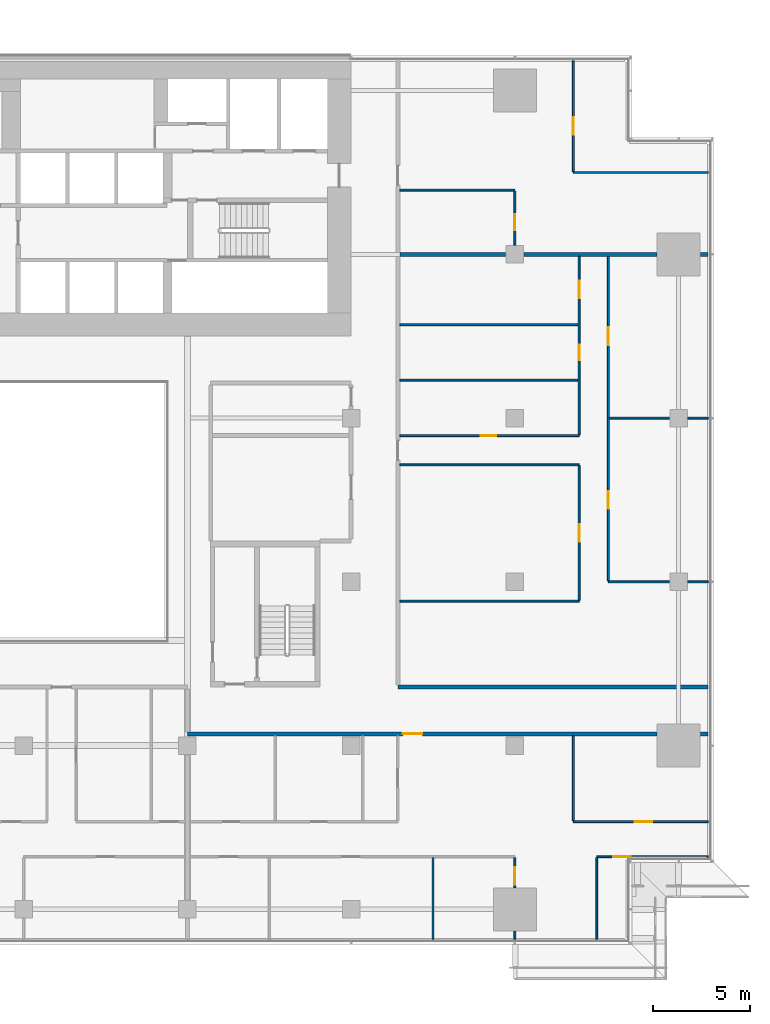
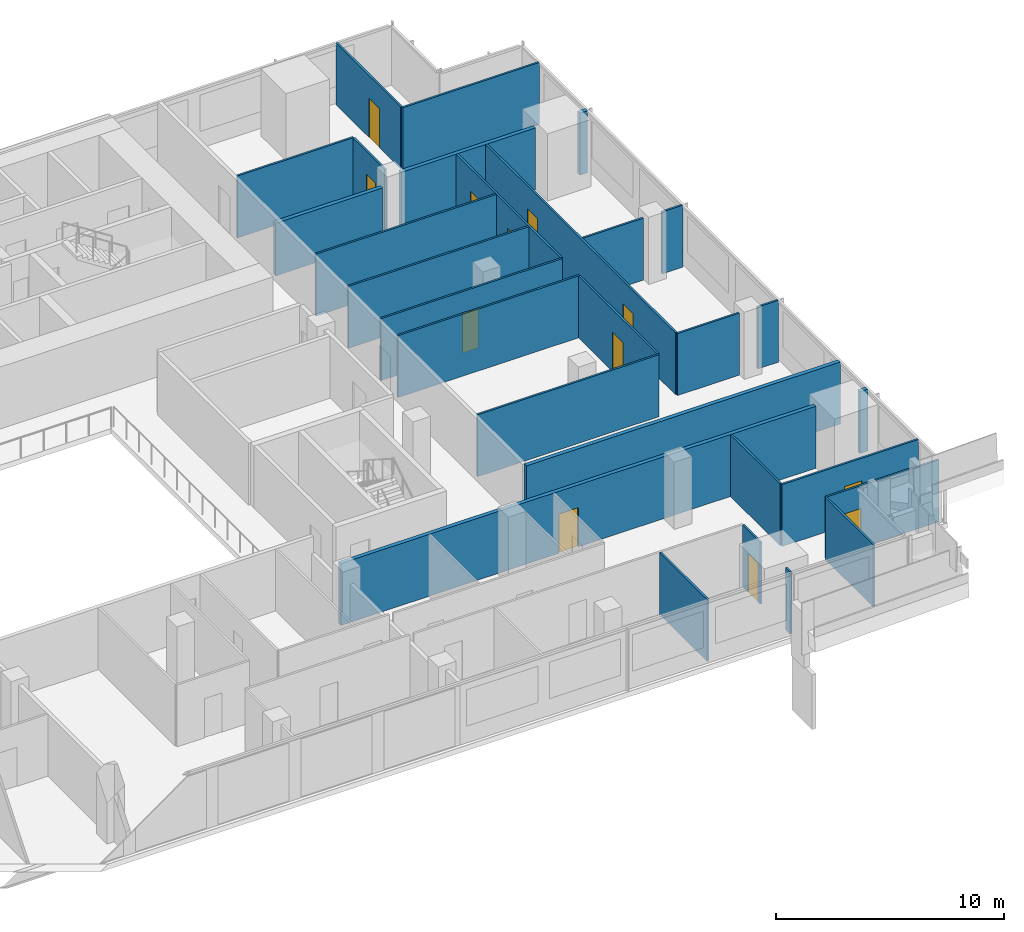
# One storey, part 24 of 30: 29 walls, 12 doors, 12 openings.
"""IFC4 building model written with IfcOpenShell, lengths in metres."""

from ifc_helpers import new_model, si_unit, direction, frame, frame_2d, origin, place, context, subcontext, project, spatial, rectangle, extrude, material, layer, layer_set, type_object, element, fill, save


model = new_model("IFC4")

# Units and contexts
model_context = context("Model", 3, precision=1e-05, world=origin(), true_north=direction((0.0, 1.0)))
body_context = subcontext(model_context, "Body", "Model", "MODEL_VIEW")
ifc_project = project(units=[si_unit("LENGTHUNIT", "METRE"), si_unit("AREAUNIT", "SQUARE_METRE"), si_unit("VOLUMEUNIT", "CUBIC_METRE"), si_unit("PLANEANGLEUNIT", "RADIAN"), si_unit("MASSUNIT", "GRAM", prefix="KILO")], contexts=[model_context])

# Site, building, storey
site_placement = place(None, origin())
site = spatial("IfcSite", under=ifc_project, at=site_placement, CompositionType="ELEMENT")
building_placement = place(site_placement, origin())
building = spatial("IfcBuilding", under=site, at=building_placement, Name="Saffron Gate Tower", CompositionType="ELEMENT")
storey_placement = place(building_placement, frame((0.0, 0.0, 69.60009765625)))
storey = spatial("IfcBuildingStorey", under=building, at=storey_placement, Name="L16", CompositionType="ELEMENT", Elevation=69.60009765625)

# Wall, opening, door
ifc_material_1 = material(Name="Plasterboard on steel studs", Category="steel")
ifc_layer_1 = layer(ifc_material_1, 0.10009765625)
ifc_layer_set_1 = layer_set([ifc_layer_1], Name="PW1 Partition 100")
wall_type_1 = type_object("IfcWallType", Name="PW1 Partition 100", PredefinedType="PARTITIONING", material=ifc_layer_set_1)
wall_1_placement = place(storey_placement, frame((126.919921875, 34.5, 0.0), z_axis=(0.0, 0.0, 1.0), x_axis=(-1.0, 0.0, 0.0)))
wall_1 = element("IfcWall", 1, at=wall_1_placement, inside=storey, type_object=wall_type_1, Name="Partition A4-3", PredefinedType="PARTITIONING", context=body_context, shape_type="SweptSolid", body=[
    extrude(rectangle(XDim=5.719970703125, YDim=0.10009765625, at=frame_2d((2.85986328125, 0.0))), origin(), (0.0, 0.0, 1.0), 3.31982421875),
])
opening_1_placement = place(wall_1_placement, frame((3.96630859375, 0.0, 0.0)))
opening_1 = element("IfcOpeningElement", 2, at=opening_1_placement, cuts=wall_1, Name="Opening A4-20", PredefinedType="OPENING", context=body_context, shape_type="SweptSolid", body=[
    extrude(rectangle(XDim=0.89990234375, YDim=2.10009765625, at=frame_2d((0.449951171875, 1.050048828125))), frame((0.0, 0.06005859375, 0.0), z_axis=(0.0, -1.0, 0.0), x_axis=(1.0, 0.0, 0.0)), (0.0, 0.0, 1.0), 0.1201171875),
])
ifc_material_2 = material(Name="Timber door set", Category="wood")
door_type_1 = type_object("IfcDoorType", Name="RD1 Room door 900x2100", OperationType="NOTDEFINED", PredefinedType="DOOR", material=ifc_material_2)
door_1_placement = place(opening_1_placement, origin())
door_1 = element("IfcDoor", 3, at=door_1_placement, inside=storey, type_object=door_type_1, Name="Door A4-20", OperationType="SINGLE_SWING_RIGHT", OverallHeight=2.10009765625, OverallWidth=0.89990234375, PredefinedType="DOOR", context=body_context, shape_type="SweptSolid", body=[
    extrude(rectangle(XDim=0.89990234375, YDim=2.10009765625, at=frame_2d((0.449951171875, 1.050048828125))), frame((0.0, 0.02490234375, 0.0), z_axis=(0.0, -1.0, 0.0), x_axis=(1.0, 0.0, 0.0)), (0.0, 0.0, 1.0), 0.050048828125),
])
fill(opening_1, door_1)

wall_2_placement = place(storey_placement, frame((120.0, 36.300048828125, 0.0), z_axis=(0.0, 0.0, 1.0), x_axis=(1.0, 0.0, 0.0)))
wall_2 = element("IfcWall", 4, at=wall_2_placement, inside=storey, type_object=wall_type_1, Name="Partition A4-7", PredefinedType="PARTITIONING", context=body_context, shape_type="SweptSolid", body=[
    extrude(rectangle(XDim=6.919921875, YDim=0.10009765625, at=frame_2d((3.4599609375, 0.0))), origin(), (0.0, 0.0, 1.0), 3.31982421875),
])
opening_2_placement = place(wall_2_placement, frame((3.14990234375, 0.0, 0.0)))
opening_2 = element("IfcOpeningElement", 5, at=opening_2_placement, cuts=wall_2, Name="Opening A4-21", PredefinedType="OPENING", context=body_context, shape_type="SweptSolid", body=[
    extrude(rectangle(XDim=0.89990234375, YDim=2.10009765625, at=frame_2d((0.449951171875, 1.050048828125))), frame((0.0, 0.06005859375, 0.0), z_axis=(0.0, -1.0, 0.0), x_axis=(1.0, 0.0, 0.0)), (0.0, 0.0, 1.0), 0.1201171875),
])
door_2_placement = place(opening_2_placement, origin())
door_2 = element("IfcDoor", 6, at=door_2_placement, inside=storey, type_object=door_type_1, Name="Door A4-21", OperationType="SINGLE_SWING_RIGHT", OverallHeight=2.10009765625, OverallWidth=0.89990234375, PredefinedType="DOOR", context=body_context, shape_type="SweptSolid", body=[
    extrude(rectangle(XDim=0.89990234375, YDim=2.10009765625, at=frame_2d((0.449951171875, 1.050048828125))), frame((0.0, 0.02490234375, 0.0), z_axis=(0.0, -1.0, 0.0), x_axis=(1.0, 0.0, 0.0)), (0.0, 0.0, 1.0), 0.050048828125),
])
fill(opening_2, door_2)

# Walls
wall_3_placement = place(storey_placement, frame((111.10009765625, 47.608642578125, 0.0), z_axis=(0.0, 0.0, 1.0), x_axis=(1.0, 0.0, 0.0)))
element("IfcWall", 7, at=wall_3_placement, inside=storey, type_object=wall_type_1, Name="Partition A4-17", PredefinedType="PARTITIONING", context=body_context, shape_type="SweptSolid", body=[
    extrude(rectangle(XDim=9.199951171875, YDim=0.10009765625, at=frame_2d((4.60009765625, 0.0))), origin(), (0.0, 0.0, 1.0), 3.31982421875),
])
wall_4_placement = place(storey_placement, frame((121.800048828125, 48.60009765625, 0.0), z_axis=(0.0, 0.0, 1.0), x_axis=(1.0, 0.0, 0.0)))
element("IfcWall", 8, at=wall_4_placement, inside=storey, type_object=wall_type_1, Name="Partition A4-21", PredefinedType="PARTITIONING", context=body_context, shape_type="SweptSolid", body=[
    extrude(rectangle(XDim=3.1298828125, YDim=0.10009765625, at=frame_2d((1.56494140625, 0.0))), origin(), (0.0, 0.0, 1.0), 3.31982421875),
])
wall_5_placement = place(storey_placement, frame((125.8701171875, 48.60009765625, 0.0), z_axis=(0.0, 0.0, 1.0), x_axis=(1.0, 0.0, 0.0)))
element("IfcWall", 9, at=wall_5_placement, inside=storey, type_object=wall_type_1, Name="Partition A4-22", PredefinedType="PARTITIONING", context=body_context, shape_type="SweptSolid", body=[
    extrude(rectangle(XDim=1.0498046875, YDim=0.10009765625, at=frame_2d((0.52490234375, 0.0))), origin(), (0.0, 0.0, 1.0), 3.31982421875),
])
wall_6_placement = place(storey_placement, frame((111.10009765625, 54.60009765625, 0.0), z_axis=(0.0, 0.0, 1.0), x_axis=(1.0, 0.0, 0.0)))
element("IfcWall", 10, at=wall_6_placement, inside=storey, type_object=wall_type_1, Name="Partition A4-27", PredefinedType="PARTITIONING", context=body_context, shape_type="SweptSolid", body=[
    extrude(rectangle(XDim=9.199951171875, YDim=0.10009765625, at=frame_2d((4.60009765625, 0.0))), origin(), (0.0, 0.0, 1.0), 3.31982421875),
])

# Wall, opening, door
wall_7_placement = place(storey_placement, frame((111.10009765625, 56.10009765625, 0.0), z_axis=(0.0, 0.0, 1.0), x_axis=(1.0, 0.0, 0.0)))
wall_7 = element("IfcWall", 11, at=wall_7_placement, inside=storey, type_object=wall_type_1, Name="Partition A4-28", PredefinedType="PARTITIONING", context=body_context, shape_type="SweptSolid", body=[
    extrude(rectangle(XDim=9.199951171875, YDim=0.10009765625, at=frame_2d((4.60009765625, 0.0))), origin(), (0.0, 0.0, 1.0), 3.31982421875),
])
opening_3_placement = place(wall_7_placement, frame((4.14990234375, 0.0, 0.0)))
opening_3 = element("IfcOpeningElement", 12, at=opening_3_placement, cuts=wall_7, Name="Opening A4-43", PredefinedType="OPENING", context=body_context, shape_type="SweptSolid", body=[
    extrude(rectangle(XDim=0.800048828125, YDim=2.10009765625, at=frame_2d((0.39990234375, 1.050048828125))), frame((0.0, 0.06005859375, 0.0), z_axis=(0.0, -1.0, 0.0), x_axis=(1.0, 0.0, 0.0)), (0.0, 0.0, 1.0), 0.1201171875),
])
door_type_2 = type_object("IfcDoorType", Name="RD2 Bathroom door 800x2100", OperationType="NOTDEFINED", PredefinedType="DOOR", material=ifc_material_2)
door_3_placement = place(opening_3_placement, origin())
door_3 = element("IfcDoor", 13, at=door_3_placement, inside=storey, type_object=door_type_2, Name="Door A4-43", OperationType="SINGLE_SWING_LEFT", OverallHeight=2.10009765625, OverallWidth=0.800048828125, PredefinedType="DOOR", context=body_context, shape_type="SweptSolid", body=[
    extrude(rectangle(XDim=0.800048828125, YDim=2.10009765625, at=frame_2d((0.39990234375, 1.050048828125))), frame((0.0, 0.02490234375, 0.0), z_axis=(0.0, -1.0, 0.0), x_axis=(1.0, 0.0, 0.0)), (0.0, 0.0, 1.0), 0.050048828125),
])
fill(opening_3, door_3)

# Walls
wall_8_placement = place(storey_placement, frame((121.85009765625, 57.0, 0.0), z_axis=(0.0, 0.0, 1.0), x_axis=(1.0, 0.0, 0.0)))
element("IfcWall", 14, at=wall_8_placement, inside=storey, type_object=wall_type_1, Name="Partition A4-33", PredefinedType="PARTITIONING", context=body_context, shape_type="SweptSolid", body=[
    extrude(rectangle(XDim=3.079833984375, YDim=0.10009765625, at=frame_2d((1.5400390625, 0.0))), origin(), (0.0, 0.0, 1.0), 3.31982421875),
])
wall_9_placement = place(storey_placement, frame((125.8701171875, 57.0, 0.0), z_axis=(0.0, 0.0, 1.0), x_axis=(1.0, 0.0, 0.0)))
element("IfcWall", 15, at=wall_9_placement, inside=storey, type_object=wall_type_1, Name="Partition A4-34", PredefinedType="PARTITIONING", context=body_context, shape_type="SweptSolid", body=[
    extrude(rectangle(XDim=1.0498046875, YDim=0.10009765625, at=frame_2d((0.52490234375, 0.0))), origin(), (0.0, 0.0, 1.0), 3.31982421875),
])
for number, where, z_axis, x_axis, name in (
    (16, (111.10009765625, 58.949462890625, 0.0), (0.0, 0.0, 1.0), (1.0, 0.0, 0.0), "Partition A4-37"),
    (17, (111.10009765625, 61.798828125, 0.0), (0.0, 0.0, 1.0), (1.0, 0.0, 0.0), "Partition A4-40"),
):
    element("IfcWall", number, at=place(storey_placement, frame(where, z_axis=z_axis, x_axis=x_axis)), inside=storey, type_object=wall_type_1, Name=name, PredefinedType="PARTITIONING", context=body_context, shape_type="SweptSolid", body=[
        extrude(rectangle(XDim=9.14990234375, YDim=0.10009765625, at=frame_2d((4.574951171875, 0.0))), origin(), (0.0, 0.0, 1.0), 3.31982421875),
    ])
wall_10_placement = place(storey_placement, frame((111.10009765625, 68.699951171875, 0.0), z_axis=(0.0, 0.0, 1.0), x_axis=(1.0, 0.0, 0.0)))
element("IfcWall", 18, at=wall_10_placement, inside=storey, type_object=wall_type_1, Name="Partition A4-47", PredefinedType="PARTITIONING", context=body_context, shape_type="SweptSolid", body=[
    extrude(rectangle(XDim=5.89990234375, YDim=0.10009765625, at=frame_2d((2.949951171875, 0.0))), origin(), (0.0, 0.0, 1.0), 3.31982421875),
])
wall_11_placement = place(storey_placement, frame((120.0, 69.60009765625, 0.0), z_axis=(0.0, 0.0, 1.0), x_axis=(1.0, 0.0, 0.0)))
element("IfcWall", 19, at=wall_11_placement, inside=storey, type_object=wall_type_1, Name="Partition A4-49", PredefinedType="PARTITIONING", context=body_context, shape_type="SweptSolid", body=[
    extrude(rectangle(XDim=6.919921875, YDim=0.10009765625, at=frame_2d((3.4599609375, 0.0))), origin(), (0.0, 0.0, 1.0), 3.31982421875),
])
wall_12_placement = place(storey_placement, frame((112.800048828125, 34.449951171875, 0.0), z_axis=(0.0, 0.0, 1.0), x_axis=(0.0, -1.0, 0.0)))
element("IfcWall", 20, at=wall_12_placement, inside=storey, type_object=wall_type_1, Name="Partition A4-91", PredefinedType="PARTITIONING", context=body_context, shape_type="SweptSolid", body=[
    extrude(rectangle(XDim=4.169921875, YDim=0.10009765625, at=frame_2d((2.0849609375, 0.0))), origin(), (0.0, 0.0, 1.0), 3.31982421875),
])
wall_13_placement = place(storey_placement, frame((117.0, 30.679931640625, 0.0), z_axis=(0.0, 0.0, 1.0), x_axis=(0.0, -1.0, 0.0)))
element("IfcWall", 21, at=wall_13_placement, inside=storey, type_object=wall_type_1, Name="Partition A4-92", PredefinedType="PARTITIONING", context=body_context, shape_type="SweptSolid", body=[
    extrude(rectangle(XDim=0.39990234375, YDim=0.10009765625, at=frame_2d((0.199951171875, 0.0))), origin(), (0.0, 0.0, 1.0), 3.31982421875),
])

# Wall, opening, door
wall_14_placement = place(storey_placement, frame((117.0, 32.919921875, 0.0), z_axis=(0.0, 0.0, 1.0), x_axis=(0.0, 1.0, 0.0)))
wall_14 = element("IfcWall", 22, at=wall_14_placement, inside=storey, type_object=wall_type_1, Name="Partition A4-93", PredefinedType="PARTITIONING", context=body_context, shape_type="SweptSolid", body=[
    extrude(rectangle(XDim=1.530029296875, YDim=0.10009765625, at=frame_2d((0.76513671875, 0.0))), origin(), (0.0, 0.0, 1.0), 3.31982421875),
])
opening_4_placement = place(wall_14_placement, frame((0.14990234375, 0.0, 0.0)))
opening_4 = element("IfcOpeningElement", 23, at=opening_4_placement, cuts=wall_14, Name="Opening A4-19", PredefinedType="OPENING", context=body_context, shape_type="SweptSolid", body=[
    extrude(rectangle(XDim=0.89990234375, YDim=2.10009765625, at=frame_2d((0.449951171875, 1.050048828125))), frame((0.0, 0.06005859375, 0.0), z_axis=(0.0, -1.0, 0.0), x_axis=(1.0, 0.0, 0.0)), (0.0, 0.0, 1.0), 0.1201171875),
])
door_4_placement = place(opening_4_placement, origin())
door_4 = element("IfcDoor", 24, at=door_4_placement, inside=storey, type_object=door_type_1, Name="Door A4-19", OperationType="SINGLE_SWING_LEFT", OverallHeight=2.10009765625, OverallWidth=0.89990234375, PredefinedType="DOOR", context=body_context, shape_type="SweptSolid", body=[
    extrude(rectangle(XDim=0.89990234375, YDim=2.10009765625, at=frame_2d((0.449951171875, 1.050048828125))), frame((0.0, 0.02490234375, 0.0), z_axis=(0.0, -1.0, 0.0), x_axis=(1.0, 0.0, 0.0)), (0.0, 0.0, 1.0), 0.050048828125),
])
fill(opening_4, door_4)

wall_15_placement = place(storey_placement, frame((117.0, 65.8701171875, 0.0), z_axis=(0.0, 0.0, 1.0), x_axis=(0.0, 1.0, 0.0)))
wall_15 = element("IfcWall", 25, at=wall_15_placement, inside=storey, type_object=wall_type_1, Name="Partition A4-94", PredefinedType="PARTITIONING", context=body_context, shape_type="SweptSolid", body=[
    extrude(rectangle(XDim=2.77978515625, YDim=0.10009765625, at=frame_2d((1.389892578125, 0.0))), origin(), (0.0, 0.0, 1.0), 3.31982421875),
])
opening_5_placement = place(wall_15_placement, frame((0.780029296875, 0.0, 0.0)))
opening_5 = element("IfcOpeningElement", 26, at=opening_5_placement, cuts=wall_15, Name="Opening A4-45", PredefinedType="OPENING", context=body_context, shape_type="SweptSolid", body=[
    extrude(rectangle(XDim=0.800048828125, YDim=2.10009765625, at=frame_2d((0.39990234375, 1.050048828125))), frame((0.0, 0.06005859375, 0.0), z_axis=(0.0, -1.0, 0.0), x_axis=(1.0, 0.0, 0.0)), (0.0, 0.0, 1.0), 0.1201171875),
])
door_5_placement = place(opening_5_placement, origin())
door_5 = element("IfcDoor", 27, at=door_5_placement, inside=storey, type_object=door_type_2, Name="Door A4-45", OperationType="SINGLE_SWING_LEFT", OverallHeight=2.10009765625, OverallWidth=0.800048828125, PredefinedType="DOOR", context=body_context, shape_type="SweptSolid", body=[
    extrude(rectangle(XDim=0.800048828125, YDim=2.10009765625, at=frame_2d((0.39990234375, 1.050048828125))), frame((0.0, 0.02490234375, 0.0), z_axis=(0.0, -1.0, 0.0), x_axis=(1.0, 0.0, 0.0)), (0.0, 0.0, 1.0), 0.050048828125),
])
fill(opening_5, door_5)

# Wall
wall_16_placement = place(storey_placement, frame((120.0, 40.699951171875, 0.0), z_axis=(0.0, 0.0, 1.0), x_axis=(0.0, -1.0, 0.0)))
element("IfcWall", 28, at=wall_16_placement, inside=storey, type_object=wall_type_1, Name="Partition A4-95", PredefinedType="PARTITIONING", context=body_context, shape_type="SweptSolid", body=[
    extrude(rectangle(XDim=4.349853515625, YDim=0.10009765625, at=frame_2d((2.1748046875, 0.0))), origin(), (0.0, 0.0, 1.0), 3.31982421875),
])

# Wall, opening, door
wall_17_placement = place(storey_placement, frame((120.0, 75.320068359375, 0.0), z_axis=(0.0, 0.0, 1.0), x_axis=(0.0, -1.0, 0.0)))
wall_17 = element("IfcWall", 29, at=wall_17_placement, inside=storey, type_object=wall_type_1, Name="Partition A4-96", PredefinedType="PARTITIONING", context=body_context, shape_type="SweptSolid", body=[
    extrude(rectangle(XDim=5.670166015625, YDim=0.10009765625, at=frame_2d((2.8349609375, 0.0))), origin(), (0.0, 0.0, 1.0), 3.31982421875),
])
opening_6_placement = place(wall_17_placement, frame((2.89111328125, 0.0, 0.0)))
opening_6 = element("IfcOpeningElement", 30, at=opening_6_placement, cuts=wall_17, Name="Opening A4-32", PredefinedType="OPENING", context=body_context, shape_type="SweptSolid", body=[
    extrude(rectangle(XDim=0.89990234375, YDim=2.10009765625, at=frame_2d((0.449951171875, 1.050048828125))), frame((0.0, 0.06005859375, 0.0), z_axis=(0.0, -1.0, 0.0), x_axis=(1.0, 0.0, 0.0)), (0.0, 0.0, 1.0), 0.1201171875),
])
door_6_placement = place(opening_6_placement, origin())
door_6 = element("IfcDoor", 31, at=door_6_placement, inside=storey, type_object=door_type_1, Name="Door A4-32", OperationType="SINGLE_SWING_RIGHT", OverallHeight=2.10009765625, OverallWidth=0.89990234375, PredefinedType="DOOR", context=body_context, shape_type="SweptSolid", body=[
    extrude(rectangle(XDim=0.89990234375, YDim=2.10009765625, at=frame_2d((0.449951171875, 1.050048828125))), frame((0.0, 0.02490234375, 0.0), z_axis=(0.0, -1.0, 0.0), x_axis=(1.0, 0.0, 0.0)), (0.0, 0.0, 1.0), 0.050048828125),
])
fill(opening_6, door_6)

wall_18_placement = place(storey_placement, frame((120.300048828125, 47.65869140625, 0.0), z_axis=(0.0, 0.0, 1.0), x_axis=(0.0, 1.0, 0.0)))
wall_18 = element("IfcWall", 32, at=wall_18_placement, inside=storey, type_object=wall_type_1, Name="Partition A4-97", PredefinedType="PARTITIONING", context=body_context, shape_type="SweptSolid", body=[
    extrude(rectangle(XDim=6.891357421875, YDim=0.10009765625, at=frame_2d((3.44580078125, 0.0))), origin(), (0.0, 0.0, 1.0), 3.31982421875),
])
opening_7_placement = place(wall_18_placement, frame((2.99560546875, 0.0, 0.0)))
opening_7 = element("IfcOpeningElement", 33, at=opening_7_placement, cuts=wall_18, Name="Opening A4-30", PredefinedType="OPENING", context=body_context, shape_type="SweptSolid", body=[
    extrude(rectangle(XDim=0.89990234375, YDim=2.10009765625, at=frame_2d((0.449951171875, 1.050048828125))), frame((0.0, 0.06005859375, 0.0), z_axis=(0.0, -1.0, 0.0), x_axis=(1.0, 0.0, 0.0)), (0.0, 0.0, 1.0), 0.1201171875),
])
door_7_placement = place(opening_7_placement, origin())
door_7 = element("IfcDoor", 34, at=door_7_placement, inside=storey, type_object=door_type_1, Name="Door A4-30", OperationType="SINGLE_SWING_RIGHT", OverallHeight=2.10009765625, OverallWidth=0.89990234375, PredefinedType="DOOR", context=body_context, shape_type="SweptSolid", body=[
    extrude(rectangle(XDim=0.89990234375, YDim=2.10009765625, at=frame_2d((0.449951171875, 1.050048828125))), frame((0.0, 0.02490234375, 0.0), z_axis=(0.0, -1.0, 0.0), x_axis=(1.0, 0.0, 0.0)), (0.0, 0.0, 1.0), 0.050048828125),
])
fill(opening_7, door_7)

# Wall, openings, doors
wall_19_placement = place(storey_placement, frame((120.300048828125, 56.14990234375, 0.0), z_axis=(0.0, 0.0, 1.0), x_axis=(0.0, 1.0, 0.0)))
wall_19 = element("IfcWall", 35, at=wall_19_placement, inside=storey, type_object=wall_type_1, Name="Partition A4-98", PredefinedType="PARTITIONING", context=body_context, shape_type="SweptSolid", body=[
    extrude(rectangle(XDim=9.150146484375, YDim=0.10009765625, at=frame_2d((4.5751953125, 0.0))), origin(), (0.0, 0.0, 1.0), 3.31982421875),
])
opening_8_placement = place(wall_19_placement, frame((3.82421875, 0.0, 0.0)))
opening_8 = element("IfcOpeningElement", 36, at=opening_8_placement, cuts=wall_19, Name="Opening A4-44", PredefinedType="OPENING", context=body_context, shape_type="SweptSolid", body=[
    extrude(rectangle(XDim=0.800048828125, YDim=2.10009765625, at=frame_2d((0.39990234375, 1.050048828125))), frame((0.0, 0.06005859375, 0.0), z_axis=(0.0, -1.0, 0.0), x_axis=(1.0, 0.0, 0.0)), (0.0, 0.0, 1.0), 0.1201171875),
])
opening_9_placement = place(wall_19_placement, frame((6.99951171875, 0.0, 0.0)))
opening_9 = element("IfcOpeningElement", 37, at=opening_9_placement, cuts=wall_19, Name="Opening A4-31", PredefinedType="OPENING", context=body_context, shape_type="SweptSolid", body=[
    extrude(rectangle(XDim=0.89990234375, YDim=2.10009765625, at=frame_2d((0.449951171875, 1.050048828125))), frame((0.0, 0.06005859375, 0.0), z_axis=(0.0, -1.0, 0.0), x_axis=(1.0, 0.0, 0.0)), (0.0, 0.0, 1.0), 0.1201171875),
])
door_8_placement = place(opening_9_placement, origin())
door_8 = element("IfcDoor", 38, at=door_8_placement, inside=storey, type_object=door_type_1, Name="Door A4-31", OperationType="SINGLE_SWING_RIGHT", OverallHeight=2.10009765625, OverallWidth=0.89990234375, PredefinedType="DOOR", context=body_context, shape_type="SweptSolid", body=[
    extrude(rectangle(XDim=0.89990234375, YDim=2.10009765625, at=frame_2d((0.449951171875, 1.050048828125))), frame((0.0, 0.02490234375, 0.0), z_axis=(0.0, -1.0, 0.0), x_axis=(1.0, 0.0, 0.0)), (0.0, 0.0, 1.0), 0.050048828125),
])
fill(opening_9, door_8)
door_9_placement = place(opening_8_placement, origin())
door_9 = element("IfcDoor", 39, at=door_9_placement, inside=storey, type_object=door_type_2, Name="Door A4-44", OperationType="SINGLE_SWING_RIGHT", OverallHeight=2.10009765625, OverallWidth=0.800048828125, PredefinedType="DOOR", context=body_context, shape_type="SweptSolid", body=[
    extrude(rectangle(XDim=0.800048828125, YDim=2.10009765625, at=frame_2d((0.39990234375, 1.050048828125))), frame((0.0, 0.02490234375, 0.0), z_axis=(0.0, -1.0, 0.0), x_axis=(1.0, 0.0, 0.0)), (0.0, 0.0, 1.0), 0.050048828125),
])
fill(opening_8, door_9)

# Wall
wall_20_placement = place(storey_placement, frame((121.199951171875, 34.449951171875, 0.0), z_axis=(0.0, 0.0, 1.0), x_axis=(0.0, -1.0, 0.0)))
element("IfcWall", 40, at=wall_20_placement, inside=storey, type_object=wall_type_1, Name="Partition A4-99", PredefinedType="PARTITIONING", context=body_context, shape_type="SweptSolid", body=[
    extrude(rectangle(XDim=4.169921875, YDim=0.10009765625, at=frame_2d((2.0849609375, 0.0))), origin(), (0.0, 0.0, 1.0), 3.31982421875),
])

# Wall, openings, doors
wall_21_placement = place(storey_placement, frame((121.800048828125, 65.300048828125, 0.0), z_axis=(0.0, 0.0, 1.0), x_axis=(0.0, -1.0, 0.0)))
wall_21 = element("IfcWall", 41, at=wall_21_placement, inside=storey, type_object=wall_type_1, Name="Partition A4-100", PredefinedType="PARTITIONING", context=body_context, shape_type="SweptSolid", body=[
    extrude(rectangle(XDim=16.650146484375, YDim=0.10009765625, at=frame_2d((8.3251953125, 0.0))), origin(), (0.0, 0.0, 1.0), 3.31982421875),
])
opening_10_placement = place(wall_21_placement, frame((3.64990234375, 0.0, 0.0)))
opening_10 = element("IfcOpeningElement", 42, at=opening_10_placement, cuts=wall_21, Name="Opening A4-29", PredefinedType="OPENING", context=body_context, shape_type="SweptSolid", body=[
    extrude(rectangle(XDim=0.89990234375, YDim=2.10009765625, at=frame_2d((0.449951171875, 1.050048828125))), frame((0.0, 0.06005859375, 0.0), z_axis=(0.0, -1.0, 0.0), x_axis=(1.0, 0.0, 0.0)), (0.0, 0.0, 1.0), 0.1201171875),
])
opening_11_placement = place(wall_21_placement, frame((12.050048828125, 0.0, 0.0)))
opening_11 = element("IfcOpeningElement", 43, at=opening_11_placement, cuts=wall_21, Name="Opening A4-28", PredefinedType="OPENING", context=body_context, shape_type="SweptSolid", body=[
    extrude(rectangle(XDim=0.89990234375, YDim=2.10009765625, at=frame_2d((0.449951171875, 1.050048828125))), frame((0.0, 0.06005859375, 0.0), z_axis=(0.0, -1.0, 0.0), x_axis=(1.0, 0.0, 0.0)), (0.0, 0.0, 1.0), 0.1201171875),
])
door_10_placement = place(opening_10_placement, origin())
door_10 = element("IfcDoor", 44, at=door_10_placement, inside=storey, type_object=door_type_1, Name="Door A4-29", OperationType="SINGLE_SWING_LEFT", OverallHeight=2.10009765625, OverallWidth=0.89990234375, PredefinedType="DOOR", context=body_context, shape_type="SweptSolid", body=[
    extrude(rectangle(XDim=0.89990234375, YDim=2.10009765625, at=frame_2d((0.449951171875, 1.050048828125))), frame((0.0, 0.02490234375, 0.0), z_axis=(0.0, -1.0, 0.0), x_axis=(1.0, 0.0, 0.0)), (0.0, 0.0, 1.0), 0.050048828125),
])
fill(opening_10, door_10)
door_11_placement = place(opening_11_placement, origin())
door_11 = element("IfcDoor", 45, at=door_11_placement, inside=storey, type_object=door_type_1, Name="Door A4-28", OperationType="SINGLE_SWING_RIGHT", OverallHeight=2.10009765625, OverallWidth=0.89990234375, PredefinedType="DOOR", context=body_context, shape_type="SweptSolid", body=[
    extrude(rectangle(XDim=0.89990234375, YDim=2.10009765625, at=frame_2d((0.449951171875, 1.050048828125))), frame((0.0, 0.02490234375, 0.0), z_axis=(0.0, -1.0, 0.0), x_axis=(1.0, 0.0, 0.0)), (0.0, 0.0, 1.0), 0.050048828125),
])
fill(opening_11, door_11)

# Walls
ifc_material_3 = material(Name="Clay brick masonry, rendered", Category="masonry")
ifc_layer_2 = layer(ifc_material_3, 0.199951171875)
ifc_layer_set_2 = layer_set([ifc_layer_2], Name="PW2 Demising wall 200")
wall_type_2 = type_object("IfcWallType", Name="PW2 Demising wall 200", PredefinedType="PARTITIONING", material=ifc_layer_set_2)
wall_22_placement = place(storey_placement, frame((111.10009765625, 65.39990234375, 0.0), z_axis=(0.0, 0.0, 1.0), x_axis=(1.0, 0.0, 0.0)))
element("IfcWall", 46, at=wall_22_placement, inside=storey, type_object=wall_type_2, Name="Wall A4-41", PredefinedType="PARTITIONING", context=body_context, shape_type="SweptSolid", body=[
    extrude(rectangle(XDim=5.429931640625, YDim=0.199951171875, at=frame_2d((2.71484375, 0.0))), origin(), (0.0, 0.0, 1.0), 2.81982421875),
])
wall_23_placement = place(storey_placement, frame((117.469970703125, 65.39990234375, 0.0), z_axis=(0.0, 0.0, 1.0), x_axis=(1.0, 0.0, 0.0)))
element("IfcWall", 47, at=wall_23_placement, inside=storey, type_object=wall_type_2, Name="Wall A4-42", PredefinedType="PARTITIONING", context=body_context, shape_type="SweptSolid", body=[
    extrude(rectangle(XDim=6.81005859375, YDim=0.199951171875, at=frame_2d((3.405029296875, 0.0))), origin(), (0.0, 0.0, 1.0), 3.31982421875),
])
wall_24_placement = place(storey_placement, frame((126.52001953125, 65.39990234375, 0.0), z_axis=(0.0, 0.0, 1.0), x_axis=(1.0, 0.0, 0.0)))
element("IfcWall", 48, at=wall_24_placement, inside=storey, type_object=wall_type_2, Name="Wall A4-43", PredefinedType="PARTITIONING", context=body_context, shape_type="SweptSolid", body=[
    extrude(rectangle(XDim=0.39990234375, YDim=0.199951171875, at=frame_2d((0.199951171875, 0.0))), origin(), (0.0, 0.0, 1.0), 3.31982421875),
])

# Wall, opening, door
ifc_layer_3 = layer(ifc_material_3, 0.199951171875)
ifc_layer_set_3 = layer_set([ifc_layer_3], Name="PW3 Corridor wall 200")
wall_type_3 = type_object("IfcWallType", Name="PW3 Corridor wall 200", PredefinedType="PARTITIONING", material=ifc_layer_set_3)
wall_25_placement = place(storey_placement, frame((124.280029296875, 40.800048828125, 0.0), z_axis=(0.0, 0.0, 1.0), x_axis=(-1.0, 0.0, 0.0)))
wall_25 = element("IfcWall", 49, at=wall_25_placement, inside=storey, type_object=wall_type_3, Name="Wall A4-12", PredefinedType="PARTITIONING", context=body_context, shape_type="SweptSolid", body=[
    extrude(rectangle(XDim=24.080078125, YDim=0.199951171875, at=frame_2d((12.0400390625, 0.0))), origin(), (0.0, 0.0, 1.0), 3.31982421875),
])
opening_12_placement = place(wall_25_placement, frame((12.030029296875, 0.0, 0.0)))
opening_12 = element("IfcOpeningElement", 50, at=opening_12_placement, cuts=wall_25, Name="Opening A4-4", PredefinedType="OPENING", context=body_context, shape_type="SweptSolid", body=[
    extrude(rectangle(XDim=1.0, YDim=2.10009765625, at=frame_2d((0.5, 1.050048828125))), frame((0.0, 0.10986328125, 0.0), z_axis=(0.0, -1.0, 0.0), x_axis=(1.0, 0.0, 0.0)), (0.0, 0.0, 1.0), 0.219970703125),
])
ifc_material_4 = material(Name="Timber fire door set", Category="wood")
door_type_3 = type_object("IfcDoorType", Name="FD1 Flat entry door 1000x2100", OperationType="NOTDEFINED", PredefinedType="DOOR", material=ifc_material_4)
door_12_placement = place(opening_12_placement, origin())
door_12 = element("IfcDoor", 51, at=door_12_placement, inside=storey, type_object=door_type_3, Name="Door A4-4", OperationType="SINGLE_SWING_RIGHT", OverallHeight=2.10009765625, OverallWidth=1.0, PredefinedType="DOOR", context=body_context, shape_type="SweptSolid", body=[
    extrude(rectangle(XDim=1.0, YDim=2.10009765625, at=frame_2d((0.5, 1.050048828125))), frame((0.0, 0.02490234375, 0.0), z_axis=(0.0, -1.0, 0.0), x_axis=(1.0, 0.0, 0.0)), (0.0, 0.0, 1.0), 0.050048828125),
])
fill(opening_12, door_12)

# Walls
wall_26_placement = place(storey_placement, frame((126.52001953125, 40.800048828125, 0.0), z_axis=(0.0, 0.0, 1.0), x_axis=(1.0, 0.0, 0.0)))
element("IfcWall", 52, at=wall_26_placement, inside=storey, type_object=wall_type_3, Name="Wall A4-13", PredefinedType="PARTITIONING", context=body_context, shape_type="SweptSolid", body=[
    extrude(rectangle(XDim=0.39990234375, YDim=0.199951171875, at=frame_2d((0.199951171875, 0.0))), origin(), (0.0, 0.0, 1.0), 3.31982421875),
])
wall_27_placement = place(storey_placement, frame((111.0, 43.199951171875, 0.0), z_axis=(0.0, 0.0, 1.0), x_axis=(1.0, 0.0, 0.0)))
element("IfcWall", 53, at=wall_27_placement, inside=storey, type_object=wall_type_3, Name="Wall A4-16", PredefinedType="PARTITIONING", context=body_context, shape_type="SweptSolid", body=[
    extrude(rectangle(XDim=15.919921875, YDim=0.199951171875, at=frame_2d((7.9599609375, 0.0))), origin(), (0.0, 0.0, 1.0), 3.31982421875),
])

save(model, "model.ifc")
